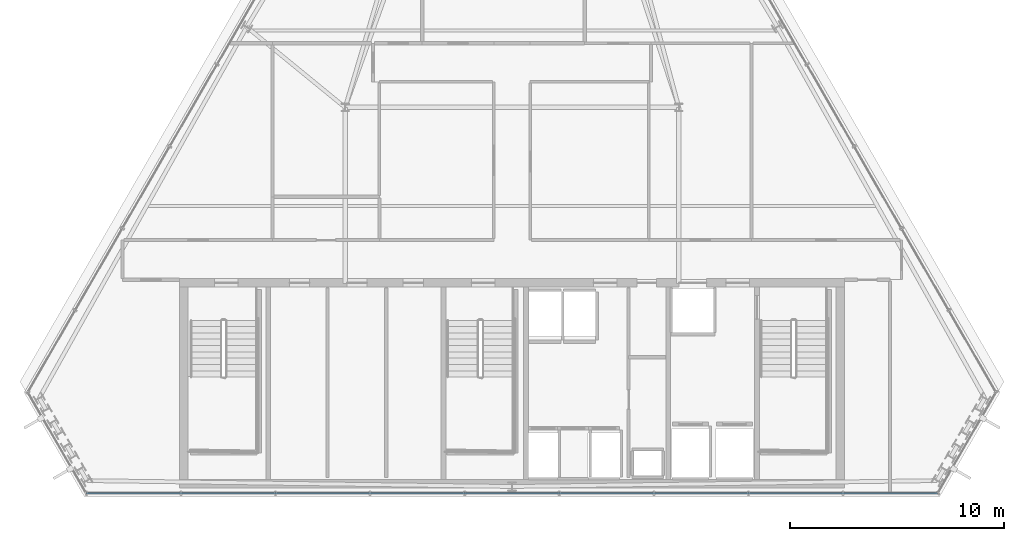
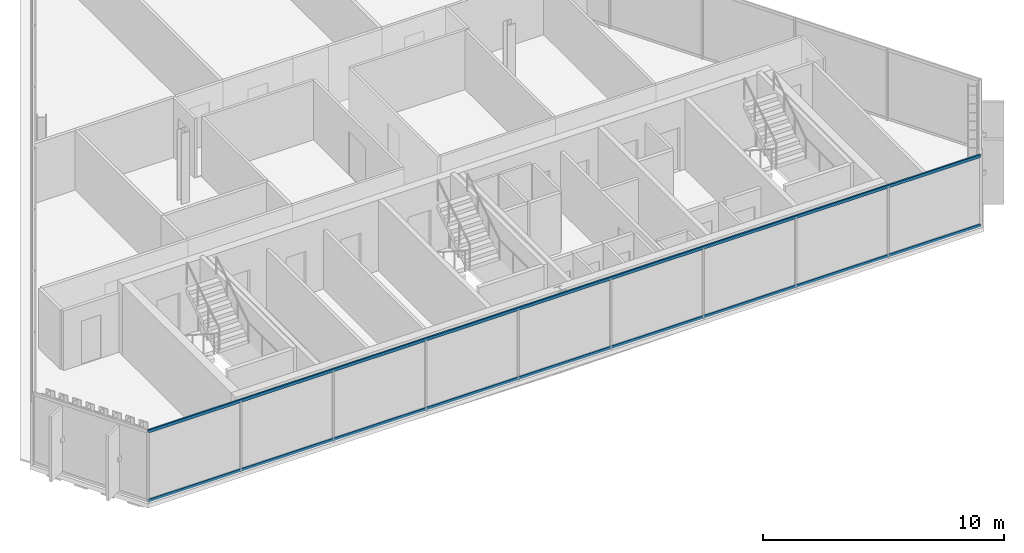
# One storey, part 9 of 34: 2 members, 1 element without a shape of its own.
"""IFC4 building model written with IfcOpenShell, lengths in metres."""

from ifc_helpers import new_model, si_unit, direction, frame, origin, origin_2d, place, context, subcontext, project, spatial, hollow_rectangle, extrude, material, layer, layer_set, material_profile, profile_set, type_object, element, aggregate, save


model = new_model("IFC4")

# Units and contexts
model_context = context("Model", 3, precision=1e-05, world=origin(), true_north=direction((0.0, 1.0)))
body_context = subcontext(model_context, "Body", "Model", "MODEL_VIEW")
ifc_project = project(units=[si_unit("LENGTHUNIT", "METRE"), si_unit("AREAUNIT", "SQUARE_METRE"), si_unit("VOLUMEUNIT", "CUBIC_METRE"), si_unit("PLANEANGLEUNIT", "RADIAN"), si_unit("MASSUNIT", "GRAM", prefix="KILO")], contexts=[model_context])

# Site, building, storey
site_placement = place(None, origin())
site = spatial("IfcSite", under=ifc_project, at=site_placement, CompositionType="ELEMENT")
building_placement = place(site_placement, origin())
building = spatial("IfcBuilding", under=site, at=building_placement, Name="Ndaravel Arena Tower", CompositionType="ELEMENT")
storey_placement = place(building_placement, frame((0.0, 0.0, 263.60009765625)))
storey = spatial("IfcBuildingStorey", under=building, at=storey_placement, Name="L64", CompositionType="ELEMENT", Elevation=263.60009765625)

# Curtain wall, members
ifc_material_1 = material(Name="Aluminium", Category="aluminium")
ifc_layer = layer(ifc_material_1, 0.179931640625)
ifc_layer_set = layer_set([ifc_layer], Name="Aluminium")
curtain_wall_type = type_object("IfcCurtainWallType", Name="CW-SYS-03", PredefinedType="NOTDEFINED", material=ifc_layer_set)
curtain_wall_placement = place(storey_placement, origin())
curtain_wall = element("IfcCurtainWall", 1, at=curtain_wall_placement, inside=storey, type_object=curtain_wall_type, Name="L64 Faceted Crystal Curtain Wall CW-L64-E01", PredefinedType="NOTDEFINED")
ifc_material_2 = material(Name="Aluminium", Category="aluminium")
ifc_material_profile = material_profile(ifc_material_2, hollow_rectangle(XDim=0.074951171875, YDim=0.14990234375, WallThickness=0.00390625, at=origin_2d()), Name="CW TRANSOM 75x150x4")
ifc_profile_set = profile_set([ifc_material_profile], Name="Aluminium")
member_type = type_object("IfcMemberType", Name="MEM-CW-TRN150", PredefinedType="USERDEFINED", material=ifc_profile_set)
member_1_placement = place(storey_placement, frame((22.09912109375, 5.159912109375, 0.039794921875), z_axis=(1.0, 0.0, 0.0), x_axis=(0.0, 1.0, 0.0)))
member_1 = element("IfcMember", 2, at=member_1_placement, type_object=member_type, Name="CW-L64-E01 Transom 01", ObjectType="TRANSOM", PredefinedType="USERDEFINED", context=body_context, shape_type="SweptSolid", body=[
    extrude(hollow_rectangle(XDim=0.074951171875, YDim=0.14990234375, WallThickness=0.00390625, at=origin_2d()), origin(), (0.0, 0.0, 1.0), 39.8017578125),
])
member_2_placement = place(storey_placement, frame((22.09912109375, 5.159912109375, 3.539794921875), z_axis=(1.0, 0.0, 0.0), x_axis=(0.0, 1.0, 0.0)))
member_2 = element("IfcMember", 3, at=member_2_placement, type_object=member_type, Name="CW-L64-E01 Transom 02", ObjectType="TRANSOM", PredefinedType="USERDEFINED", context=body_context, shape_type="SweptSolid", body=[
    extrude(hollow_rectangle(XDim=0.074951171875, YDim=0.14990234375, WallThickness=0.00390625, at=origin_2d()), origin(), (0.0, 0.0, 1.0), 39.8017578125),
])
aggregate(curtain_wall, [member_1, member_2])

save(model, "model.ifc")
